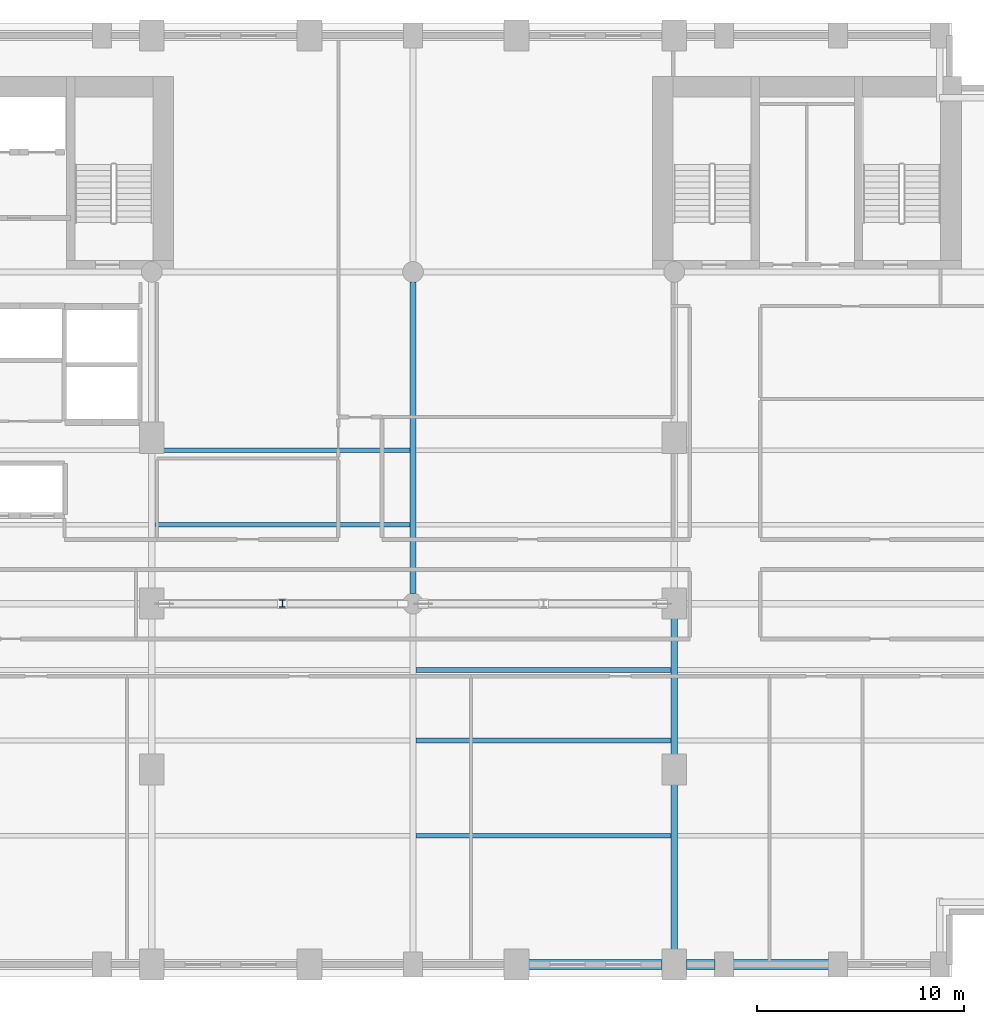
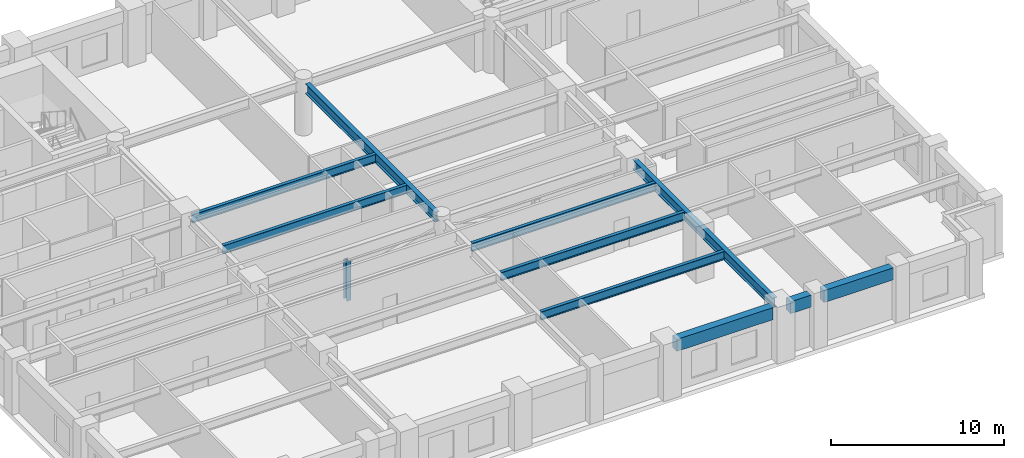
# One storey, part 2 of 10: 10 beams, 1 member.
"""IFC4 building model written with IfcOpenShell, lengths in metres."""

from ifc_helpers import new_model, si_unit, direction, frame, origin, origin_2d, place, context, subcontext, project, spatial, rectangle, i_section, extrude, material, material_profile, profile_set, type_object, element, save


model = new_model("IFC4")

# Units and contexts
model_context = context("Model", 3, precision=1e-05, world=origin(), true_north=direction((0.0, 1.0)))
body_context = subcontext(model_context, "Body", "Model", "MODEL_VIEW")
ifc_project = project(units=[si_unit("LENGTHUNIT", "METRE"), si_unit("AREAUNIT", "SQUARE_METRE"), si_unit("VOLUMEUNIT", "CUBIC_METRE"), si_unit("PLANEANGLEUNIT", "RADIAN"), si_unit("MASSUNIT", "GRAM", prefix="KILO")], contexts=[model_context])

# Site, building, storey
site_placement = place(None, origin())
site = spatial("IfcSite", under=ifc_project, at=site_placement, CompositionType="ELEMENT")
building_placement = place(site_placement, origin())
building = spatial("IfcBuilding", under=site, at=building_placement, Name="Sulina Concourse Tower", CompositionType="ELEMENT")
storey_placement = place(building_placement, frame((0.0, 0.0, 62.60009765625)))
storey = spatial("IfcBuildingStorey", under=building, at=storey_placement, Name="L15", CompositionType="ELEMENT", Elevation=62.60009765625)

# Beams
ifc_material_1 = material(Name="Steel S355", Category="steel")
ifc_material_profile_1 = material_profile(ifc_material_1, i_section(OverallWidth=0.219970703125, OverallDepth=0.60009765625, WebThickness=0.011962890625, FlangeThickness=0.01904296875, at=origin_2d()), Name="IPE 600")
ifc_profile_set_1 = profile_set([ifc_material_profile_1], Name="Steel S355")
beam_type_1 = type_object("IfcBeamType", Name="Composite Floor Joist IPE600", PredefinedType="JOIST", material=ifc_profile_set_1)
for number, where, z_axis, x_axis, name in (
    (1, (29.14990234375, 6.800048828125, 3.39990234375), (1.0, 0.0, 0.0), (0.0, 1.0, 0.0), "FJ-J06-3-L15"),
    (2, (29.14990234375, 11.39990234375, 3.39990234375), (1.0, 0.0, 0.0), (0.0, 1.0, 0.0), "FJ-J11-3-L15"),
    (3, (29.14990234375, 14.800048828125, 3.39990234375), (1.0, 0.0, 0.0), (0.0, 1.0, 0.0), "FJ-J15-3-L15"),
    (4, (16.550048828125, 21.800048828125, 3.39990234375), (1.0, 0.0, 0.0), (0.0, 1.0, 0.0), "FJ-J22-2-L15"),
    (5, (16.550048828125, 25.39990234375, 3.39990234375), (1.0, 0.0, 0.0), (0.0, 1.0, 0.0), "FJ-J25-2-L15"),
):
    element("IfcBeam", number, at=place(storey_placement, frame(where, z_axis=z_axis, x_axis=x_axis)), inside=storey, type_object=beam_type_1, Name=name, PredefinedType="JOIST", context=body_context, shape_type="SweptSolid", body=[
        extrude(i_section(OverallWidth=0.219970703125, OverallDepth=0.60009765625, WebThickness=0.011962890625, FlangeThickness=0.01904296875, at=origin_2d()), origin(), (0.0, 0.0, 1.0), 12.300048828125),
    ])
ifc_material_2 = material(Name="Steel S355", Category="steel")
ifc_material_profile_2 = material_profile(ifc_material_2, i_section(OverallWidth=0.300048828125, OverallDepth=0.699951171875, WebThickness=0.01708984375, FlangeThickness=0.031982421875, at=origin_2d()), Name="HE 700 B")
ifc_profile_set_2 = profile_set([ifc_material_profile_2], Name="Steel S355")
beam_type_2 = type_object("IfcBeamType", Name="Floor Primary Girder Zone 1 HE700B", PredefinedType="BEAM", material=ifc_profile_set_2)
beam_1_placement = place(storey_placement, frame((29.0, 18.47998046875, 3.349853515625), z_axis=(0.0, 1.0, 0.0), x_axis=(-1.0, 0.0, 0.0)))
element("IfcBeam", 6, at=beam_1_placement, inside=storey, type_object=beam_type_2, Name="FG-NSB-29-L15", PredefinedType="BEAM", context=body_context, shape_type="SweptSolid", body=[
    extrude(i_section(OverallWidth=0.300048828125, OverallDepth=0.699951171875, WebThickness=0.01708984375, FlangeThickness=0.031982421875, at=origin_2d()), origin(), (0.0, 0.0, 1.0), 15.0400390625),
])
beam_2_placement = place(storey_placement, frame((41.60009765625, 1.179931640625, 3.349853515625), z_axis=(0.0, 1.0, 0.0), x_axis=(-1.0, 0.0, 0.0)))
element("IfcBeam", 7, at=beam_2_placement, inside=storey, type_object=beam_type_2, Name="FG-NSA-41-L15", PredefinedType="BEAM", context=body_context, shape_type="SweptSolid", body=[
    extrude(i_section(OverallWidth=0.300048828125, OverallDepth=0.699951171875, WebThickness=0.01708984375, FlangeThickness=0.031982421875, at=origin_2d()), origin(), (0.0, 0.0, 1.0), 16.239990234375),
])
ifc_material_3 = material(Name="Precast concrete C50/60", Category="concrete")
ifc_material_profile_3 = material_profile(ifc_material_3, rectangle(XDim=0.5, YDim=0.85009765625, at=origin_2d()), Name="RC 500x850")
ifc_profile_set_3 = profile_set([ifc_material_profile_3], Name="Precast concrete C50/60")
beam_type_3 = type_object("IfcBeamType", Name="Lower Precast Spandrel Edge Beam 500x850", PredefinedType="BEAM", material=ifc_profile_set_3)
beam_3_placement = place(storey_placement, frame((34.580078125, 0.60009765625, 3.27490234375), z_axis=(1.0, 0.0, 0.0), x_axis=(0.0, 1.0, 0.0)))
element("IfcBeam", 8, at=beam_3_placement, inside=storey, type_object=beam_type_3, Name="SP-S7-L15", PredefinedType="BEAM", context=body_context, shape_type="SweptSolid", body=[
    extrude(rectangle(XDim=0.5, YDim=0.85009765625, at=origin_2d()), origin(), (0.0, 0.0, 1.0), 6.43994140625),
])
beam_4_placement = place(storey_placement, frame((42.179931640625, 0.60009765625, 3.27490234375), z_axis=(1.0, 0.0, 0.0), x_axis=(0.0, 1.0, 0.0)))
element("IfcBeam", 9, at=beam_4_placement, inside=storey, type_object=beam_type_3, Name="SP-S8-L15", PredefinedType="BEAM", context=body_context, shape_type="SweptSolid", body=[
    extrude(rectangle(XDim=0.5, YDim=0.85009765625, at=origin_2d()), origin(), (0.0, 0.0, 1.0), 1.39013671875),
])
beam_5_placement = place(storey_placement, frame((44.429931640625, 0.60009765625, 3.27490234375), z_axis=(1.0, 0.0, 0.0), x_axis=(0.0, 1.0, 0.0)))
element("IfcBeam", 10, at=beam_5_placement, inside=storey, type_object=beam_type_3, Name="SP-S9-L15", PredefinedType="BEAM", context=body_context, shape_type="SweptSolid", body=[
    extrude(rectangle(XDim=0.5, YDim=0.85009765625, at=origin_2d()), origin(), (0.0, 0.0, 1.0), 4.64013671875),
])

# Member
ifc_material_4 = material(Name="Steel S355", Category="steel")
ifc_material_profile_4 = material_profile(ifc_material_4, i_section(OverallWidth=0.300048828125, OverallDepth=0.360107421875, WebThickness=0.012451171875, FlangeThickness=0.0224609375, at=origin_2d()), Name="HE 360 B")
ifc_profile_set_4 = profile_set([ifc_material_profile_4], Name="Steel S355")
member_type = type_object("IfcMemberType", Name="Truss Vertical Post Strut HE360B", PredefinedType="STRUT", material=ifc_profile_set_4)
member_placement = place(storey_placement, frame((22.699951171875, 18.0, 0.0048828125), z_axis=(0.0, 0.0, 1.0), x_axis=(1.0, 0.0, 0.0)))
element("IfcMember", 11, at=member_placement, inside=storey, type_object=member_type, Name="LBT-VP-1-L15", PredefinedType="STRUT", context=body_context, shape_type="SweptSolid", body=[
    extrude(i_section(OverallWidth=0.300048828125, OverallDepth=0.360107421875, WebThickness=0.012451171875, FlangeThickness=0.0224609375, at=origin_2d()), origin(), (0.0, 0.0, 1.0), 2.794921875),
])

save(model, "model.ifc")
